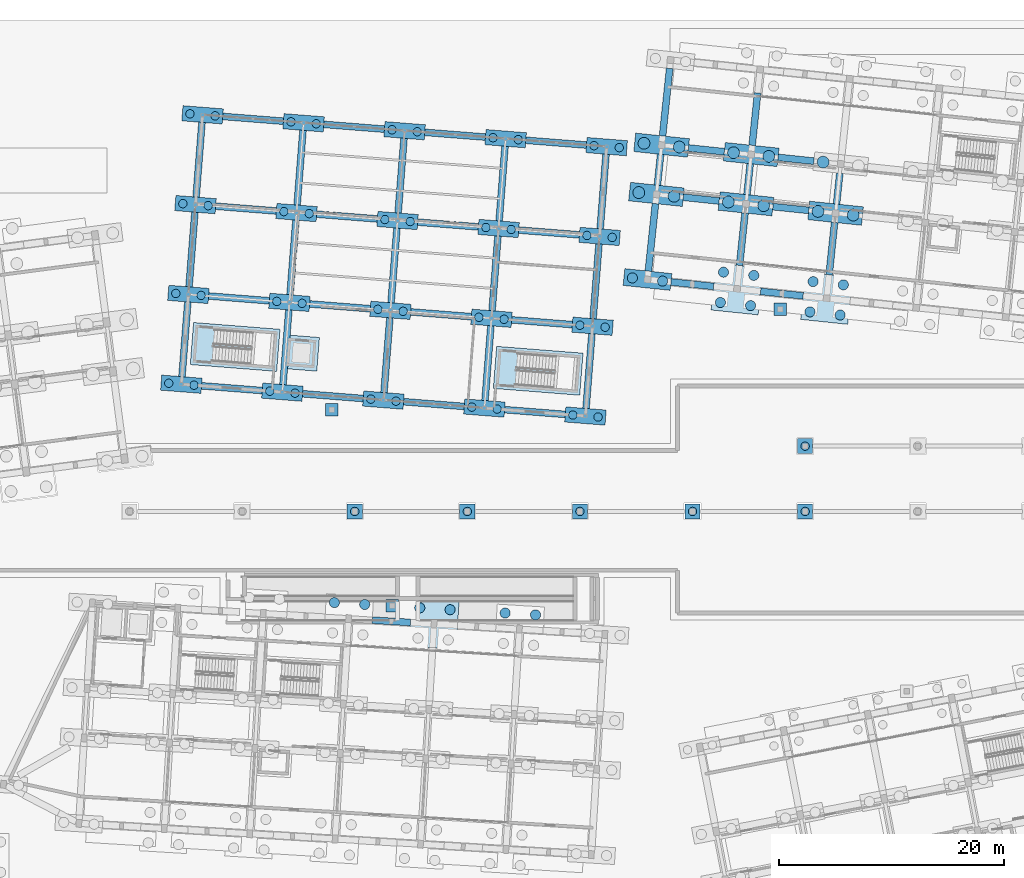
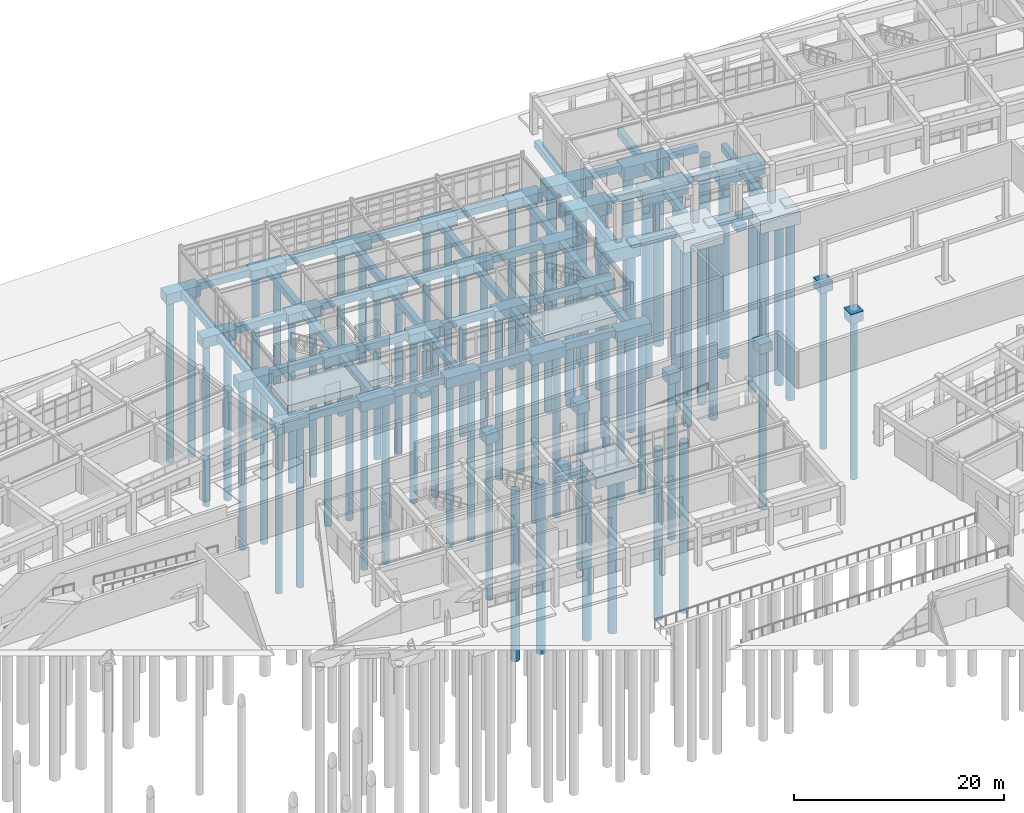
# One storey, part 4 of 154: 87 footings, 73 piles.
"""IFC4 building model written with IfcOpenShell, lengths in metres."""

from ifc_helpers import new_model, si_unit, direction, frame, origin, origin_2d, place, context, subcontext, project, spatial, rectangle, circle, extrude, material, material_profile, profile_set, type_object, element, save


model = new_model("IFC4")

# Units and contexts
model_context = context("Model", 3, precision=1e-05, world=origin(), true_north=direction((0.0, 1.0)))
body_context = subcontext(model_context, "Body", "Model", "MODEL_VIEW")
ifc_project = project(units=[si_unit("LENGTHUNIT", "METRE"), si_unit("AREAUNIT", "SQUARE_METRE"), si_unit("VOLUMEUNIT", "CUBIC_METRE"), si_unit("PLANEANGLEUNIT", "RADIAN"), si_unit("MASSUNIT", "GRAM", prefix="KILO")], contexts=[model_context])

# Site, building, storey
site_placement = place(None, origin())
site = spatial("IfcSite", under=ifc_project, at=site_placement, CompositionType="ELEMENT")
building_placement = place(site_placement, origin())
building = spatial("IfcBuilding", under=site, at=building_placement, Name="Kestramere Prow Commons", CompositionType="ELEMENT")
storey_placement = place(building_placement, origin())
storey = spatial("IfcBuildingStorey", under=building, at=storey_placement, Name="L00", CompositionType="ELEMENT", Elevation=0.0)

# Piles
ifc_material = material(Name="Concrete C35/45", Category="concrete")
ifc_material_profile_1 = material_profile(ifc_material, circle(Radius=0.52490234375, at=origin_2d()), Name="BORED PILE D1050")
ifc_profile_set_1 = profile_set([ifc_material_profile_1], Name="Concrete C35/45")
pile_type_1 = type_object("IfcPileType", Name="BP-1050 BORED PILE D1050", PredefinedType="BORED", material=ifc_profile_set_1)
for number, where, z_axis, x_axis, name in (
    (1, (109.22802734375, 102.52294921875, -1.75), (0.0, 0.0, -1.0), (1.0, 0.0, 0.0), "Bored pile FC-B-0-1-P1"),
    (2, (112.36083984375, 102.19384765625, -1.75), (0.0, 0.0, -1.0), (1.0, 0.0, 0.0), "Bored pile FC-B-0-1-P2"),
    (3, (109.68798828125, 106.89892578125, -1.75), (0.0, 0.0, -1.0), (1.0, 0.0, 0.0), "Bored pile FC-B-0-2-P1"),
    (4, (112.82080078125, 106.569580078125, -1.75), (0.0, 0.0, -1.0), (1.0, 0.0, 0.0), "Bored pile FC-B-0-2-P2"),
    (5, (117.184326171875, 101.686767578125, -1.75), (0.0, 0.0, -1.0), (1.0, 0.0, 0.0), "Bored pile FC-B-1-1-P1"),
    (6, (120.31689453125, 101.357421875, -1.75), (0.0, 0.0, -1.0), (1.0, 0.0, 0.0), "Bored pile FC-B-1-1-P2"),
    (7, (117.64404296875, 106.062744140625, -1.75), (0.0, 0.0, -1.0), (1.0, 0.0, 0.0), "Bored pile FC-B-1-2-P1"),
    (8, (120.77685546875, 105.7333984375, -1.75), (0.0, 0.0, -1.0), (1.0, 0.0, 0.0), "Bored pile FC-B-1-2-P2"),
    (9, (125.140380859375, 100.8505859375, -1.75), (0.0, 0.0, -1.0), (1.0, 0.0, 0.0), "Bored pile FC-B-2-1-P1"),
    (10, (128.273193359375, 100.521240234375, -1.75), (0.0, 0.0, -1.0), (1.0, 0.0, 0.0), "Bored pile FC-B-2-1-P2"),
    (11, (125.600341796875, 105.226318359375, -1.75), (0.0, 0.0, -1.0), (1.0, 0.0, 0.0), "Bored pile FC-B-2-2-P1"),
):
    element("IfcPile", number, at=place(storey_placement, frame(where, z_axis=z_axis, x_axis=x_axis)), inside=storey, type_object=pile_type_1, Name=name, PredefinedType="BORED", context=body_context, shape_type="SweptSolid", body=[
        extrude(circle(Radius=0.52490234375, at=origin_2d()), origin(), (0.0, 0.0, 1.0), 20.60009765625),
    ])
ifc_material_profile_2 = material_profile(ifc_material, circle(Radius=0.375, at=origin_2d()), Name="BORED PILE D750")
ifc_profile_set_2 = profile_set([ifc_material_profile_2], Name="Concrete C35/45")
pile_type_2 = type_object("IfcPileType", Name="BP-750 BORED PILE D750", PredefinedType="BORED", material=ifc_profile_set_2)
for number, where, z_axis, x_axis, name in (
    (12, (67.478515625, 85.58837890625, -1.449951171875), (0.0, 0.0, -1.0), (1.0, 0.0, 0.0), "Bored pile FC-NR-0-0-P1"),
    (13, (69.721435546875, 85.41162109375, -1.449951171875), (0.0, 0.0, -1.0), (1.0, 0.0, 0.0), "Bored pile FC-NR-0-0-P2"),
    (14, (68.106201171875, 93.563720703125, -1.449951171875), (0.0, 0.0, -1.0), (1.0, 0.0, 0.0), "Bored pile FC-NR-0-1-P1"),
    (15, (70.34912109375, 93.386962890625, -1.449951171875), (0.0, 0.0, -1.0), (1.0, 0.0, 0.0), "Bored pile FC-NR-0-1-P2"),
    (16, (68.73388671875, 101.5390625, -1.449951171875), (0.0, 0.0, -1.0), (1.0, 0.0, 0.0), "Bored pile FC-NR-0-2-P1"),
    (17, (70.976806640625, 101.3623046875, -1.449951171875), (0.0, 0.0, -1.0), (1.0, 0.0, 0.0), "Bored pile FC-NR-0-2-P2"),
    (18, (69.361572265625, 109.51416015625, -1.449951171875), (0.0, 0.0, -1.0), (1.0, 0.0, 0.0), "Bored pile FC-NR-0-3-P1"),
    (19, (71.6044921875, 109.337646484375, -1.449951171875), (0.0, 0.0, -1.0), (1.0, 0.0, 0.0), "Bored pile FC-NR-0-3-P2"),
    (20, (76.45068359375, 84.882080078125, -1.449951171875), (0.0, 0.0, -1.0), (1.0, 0.0, 0.0), "Bored pile FC-NR-1-0-P1"),
    (21, (78.69384765625, 84.70556640625, -1.449951171875), (0.0, 0.0, -1.0), (1.0, 0.0, 0.0), "Bored pile FC-NR-1-0-P2"),
    (22, (77.078369140625, 92.857421875, -1.449951171875), (0.0, 0.0, -1.0), (1.0, 0.0, 0.0), "Bored pile FC-NR-1-1-P1"),
    (23, (79.321533203125, 92.680908203125, -1.449951171875), (0.0, 0.0, -1.0), (1.0, 0.0, 0.0), "Bored pile FC-NR-1-1-P2"),
    (24, (77.7060546875, 100.832763671875, -1.449951171875), (0.0, 0.0, -1.0), (1.0, 0.0, 0.0), "Bored pile FC-NR-1-2-P1"),
    (25, (79.94921875, 100.65625, -1.449951171875), (0.0, 0.0, -1.0), (1.0, 0.0, 0.0), "Bored pile FC-NR-1-2-P2"),
    (26, (78.333740234375, 108.80810546875, -1.449951171875), (0.0, 0.0, -1.0), (1.0, 0.0, 0.0), "Bored pile FC-NR-1-3-P1"),
    (27, (80.576904296875, 108.631591796875, -1.449951171875), (0.0, 0.0, -1.0), (1.0, 0.0, 0.0), "Bored pile FC-NR-1-3-P2"),
    (28, (85.423095703125, 84.176025390625, -1.449951171875), (0.0, 0.0, -1.0), (1.0, 0.0, 0.0), "Bored pile FC-NR-2-0-P1"),
    (29, (87.666015625, 83.99951171875, -1.449951171875), (0.0, 0.0, -1.0), (1.0, 0.0, 0.0), "Bored pile FC-NR-2-0-P2"),
    (30, (86.050537109375, 92.1513671875, -1.449951171875), (0.0, 0.0, -1.0), (1.0, 0.0, 0.0), "Bored pile FC-NR-2-1-P1"),
    (31, (88.293701171875, 91.974853515625, -1.449951171875), (0.0, 0.0, -1.0), (1.0, 0.0, 0.0), "Bored pile FC-NR-2-1-P2"),
    (32, (86.67822265625, 100.126708984375, -1.449951171875), (0.0, 0.0, -1.0), (1.0, 0.0, 0.0), "Bored pile FC-NR-2-2-P1"),
    (33, (88.92138671875, 99.9501953125, -1.449951171875), (0.0, 0.0, -1.0), (1.0, 0.0, 0.0), "Bored pile FC-NR-2-2-P2"),
    (34, (87.305908203125, 108.10205078125, -1.449951171875), (0.0, 0.0, -1.0), (1.0, 0.0, 0.0), "Bored pile FC-NR-2-3-P1"),
    (35, (89.549072265625, 107.925537109375, -1.449951171875), (0.0, 0.0, -1.0), (1.0, 0.0, 0.0), "Bored pile FC-NR-2-3-P2"),
    (36, (94.395263671875, 83.469970703125, -1.449951171875), (0.0, 0.0, -1.0), (1.0, 0.0, 0.0), "Bored pile FC-NR-3-0-P1"),
    (37, (96.63818359375, 83.29345703125, -1.449951171875), (0.0, 0.0, -1.0), (1.0, 0.0, 0.0), "Bored pile FC-NR-3-0-P2"),
    (38, (95.02294921875, 91.4453125, -1.449951171875), (0.0, 0.0, -1.0), (1.0, 0.0, 0.0), "Bored pile FC-NR-3-1-P1"),
    (39, (97.265869140625, 91.268798828125, -1.449951171875), (0.0, 0.0, -1.0), (1.0, 0.0, 0.0), "Bored pile FC-NR-3-1-P2"),
    (40, (95.650634765625, 99.420654296875, -1.449951171875), (0.0, 0.0, -1.0), (1.0, 0.0, 0.0), "Bored pile FC-NR-3-2-P1"),
    (41, (97.8935546875, 99.243896484375, -1.449951171875), (0.0, 0.0, -1.0), (1.0, 0.0, 0.0), "Bored pile FC-NR-3-2-P2"),
    (42, (96.2783203125, 107.39599609375, -1.449951171875), (0.0, 0.0, -1.0), (1.0, 0.0, 0.0), "Bored pile FC-NR-3-3-P1"),
    (43, (98.521240234375, 107.21923828125, -1.449951171875), (0.0, 0.0, -1.0), (1.0, 0.0, 0.0), "Bored pile FC-NR-3-3-P2"),
    (44, (103.367431640625, 82.763671875, -1.449951171875), (0.0, 0.0, -1.0), (1.0, 0.0, 0.0), "Bored pile FC-NR-4-0-P1"),
    (45, (105.610595703125, 82.587158203125, -1.449951171875), (0.0, 0.0, -1.0), (1.0, 0.0, 0.0), "Bored pile FC-NR-4-0-P2"),
    (46, (103.9951171875, 90.739013671875, -1.449951171875), (0.0, 0.0, -1.0), (1.0, 0.0, 0.0), "Bored pile FC-NR-4-1-P1"),
    (47, (106.23828125, 90.5625, -1.449951171875), (0.0, 0.0, -1.0), (1.0, 0.0, 0.0), "Bored pile FC-NR-4-1-P2"),
    (48, (104.622802734375, 98.71435546875, -1.449951171875), (0.0, 0.0, -1.0), (1.0, 0.0, 0.0), "Bored pile FC-NR-4-2-P1"),
    (49, (106.865966796875, 98.537841796875, -1.449951171875), (0.0, 0.0, -1.0), (1.0, 0.0, 0.0), "Bored pile FC-NR-4-2-P2"),
    (50, (105.25048828125, 106.689697265625, -1.449951171875), (0.0, 0.0, -1.0), (1.0, 0.0, 0.0), "Bored pile FC-NR-4-3-P1"),
    (51, (107.49365234375, 106.51318359375, -1.449951171875), (0.0, 0.0, -1.0), (1.0, 0.0, 0.0), "Bored pile FC-NR-4-3-P2"),
):
    element("IfcPile", number, at=place(storey_placement, frame(where, z_axis=z_axis, x_axis=x_axis)), inside=storey, type_object=pile_type_2, Name=name, PredefinedType="BORED", context=body_context, shape_type="SweptSolid", body=[
        extrude(circle(Radius=0.375, at=origin_2d()), origin(), (0.0, 0.0, 1.0), 18.800048828125),
    ])
for number, where, z_axis, x_axis, name in (
    (52, (84.0, 74.199951171875, -1.39990234375), (0.0, 0.0, -1.0), (1.0, 0.0, 0.0), "Bored pile FC-CRT-84-74-P1"),
    (53, (94.0, 74.199951171875, -1.39990234375), (0.0, 0.0, -1.0), (1.0, 0.0, 0.0), "Bored pile FC-CRT-94-74-P1"),
    (54, (104.0, 74.199951171875, -1.39990234375), (0.0, 0.0, -1.0), (1.0, 0.0, 0.0), "Bored pile FC-CRT-104-74-P1"),
    (55, (114.0, 74.199951171875, -1.39990234375), (0.0, 0.0, -1.0), (1.0, 0.0, 0.0), "Bored pile FC-CRT-114-74-P1"),
    (56, (124.0, 74.199951171875, -1.39990234375), (0.0, 0.0, -1.0), (1.0, 0.0, 0.0), "Bored pile FC-CRT-124-74-P1"),
    (57, (124.0, 80.0, -1.39990234375), (0.0, 0.0, -1.0), (1.0, 0.0, 0.0), "Bored pile FC-CRT-124-80-P1"),
):
    element("IfcPile", number, at=place(storey_placement, frame(where, z_axis=z_axis, x_axis=x_axis)), inside=storey, type_object=pile_type_2, Name=name, PredefinedType="BORED", context=body_context, shape_type="SweptSolid", body=[
        extrude(circle(Radius=0.375, at=origin_2d()), origin(), (0.0, 0.0, 1.0), 18.5),
    ])
ifc_material_profile_3 = material_profile(ifc_material, circle(Radius=0.449951171875, at=origin_2d()), Name="BORED PILE D900")
ifc_profile_set_3 = profile_set([ifc_material_profile_3], Name="Concrete C35/45")
pile_type_3 = type_object("IfcPileType", Name="BP-900 BORED PILE D900", PredefinedType="BORED", material=ifc_profile_set_3)
for number, where, z_axis, x_axis, name in (
    (58, (108.657470703125, 94.941162109375, -1.75), (0.0, 0.0, -1.0), (1.0, 0.0, 0.0), "Bored pile FC-B-0-0-P1"),
    (59, (111.342529296875, 94.658935546875, -1.75), (0.0, 0.0, -1.0), (1.0, 0.0, 0.0), "Bored pile FC-B-0-0-P2"),
    (60, (116.472412109375, 92.76220703125, -1.75), (0.0, 0.0, -1.0), (1.0, 0.0, 0.0), "Bored pile FC-B-1-0-P1"),
    (61, (119.15771484375, 92.47998046875, -1.75), (0.0, 0.0, -1.0), (1.0, 0.0, 0.0), "Bored pile FC-B-1-0-P2"),
    (62, (116.754638671875, 95.447509765625, -1.75), (0.0, 0.0, -1.0), (1.0, 0.0, 0.0), "Bored pile FC-B-1-0-P3"),
    (63, (119.43994140625, 95.165283203125, -1.75), (0.0, 0.0, -1.0), (1.0, 0.0, 0.0), "Bored pile FC-B-1-0-P4"),
    (64, (124.4287109375, 91.926025390625, -1.75), (0.0, 0.0, -1.0), (1.0, 0.0, 0.0), "Bored pile FC-B-2-0-P1"),
    (65, (127.11376953125, 91.643798828125, -1.75), (0.0, 0.0, -1.0), (1.0, 0.0, 0.0), "Bored pile FC-B-2-0-P2"),
    (66, (124.7109375, 94.611328125, -1.75), (0.0, 0.0, -1.0), (1.0, 0.0, 0.0), "Bored pile FC-B-2-0-P3"),
    (67, (127.39599609375, 94.3291015625, -1.75), (0.0, 0.0, -1.0), (1.0, 0.0, 0.0), "Bored pile FC-B-2-0-P4"),
):
    element("IfcPile", number, at=place(storey_placement, frame(where, z_axis=z_axis, x_axis=x_axis)), inside=storey, type_object=pile_type_3, Name=name, PredefinedType="BORED", context=body_context, shape_type="SweptSolid", body=[
        extrude(circle(Radius=0.449951171875, at=origin_2d()), origin(), (0.0, 0.0, 1.0), 20.60009765625),
    ])
for number, where, z_axis, x_axis, name in (
    (68, (82.18896484375, 66.101318359375, -1.60009765625), (0.0, 0.0, -1.0), (1.0, 0.0, 0.0), "Bored pile FC-C-3-3-P3"),
    (69, (84.884033203125, 65.9365234375, -1.60009765625), (0.0, 0.0, -1.0), (1.0, 0.0, 0.0), "Bored pile FC-C-3-3-P4"),
    (70, (89.77490234375, 65.637451171875, -1.60009765625), (0.0, 0.0, -1.0), (1.0, 0.0, 0.0), "Bored pile FC-C-4-3-P3"),
    (71, (92.4697265625, 65.47265625, -1.60009765625), (0.0, 0.0, -1.0), (1.0, 0.0, 0.0), "Bored pile FC-C-4-3-P4"),
    (72, (97.360595703125, 65.173583984375, -1.60009765625), (0.0, 0.0, -1.0), (1.0, 0.0, 0.0), "Bored pile FC-C-5-3-P3"),
    (73, (100.0556640625, 65.008544921875, -1.60009765625), (0.0, 0.0, -1.0), (1.0, 0.0, 0.0), "Bored pile FC-C-5-3-P4"),
):
    element("IfcPile", number, at=place(storey_placement, frame(where, z_axis=z_axis, x_axis=x_axis)), inside=storey, type_object=pile_type_3, Name=name, PredefinedType="BORED", context=body_context, shape_type="SweptSolid", body=[
        extrude(circle(Radius=0.449951171875, at=origin_2d()), origin(), (0.0, 0.0, 1.0), 19.800048828125),
    ])

# Footings
footing_type_1 = type_object("IfcFootingType", Name="FT-BRIDGE-PAD", PredefinedType="PAD_FOOTING", material=ifc_material)
for number, where, z_axis, x_axis, name in (
    (74, (121.787841796875, 92.1533203125, -1.0), (0.0, 0.0, 1.0), (1.0, 0.0, 0.0), "Courtyard Bridge Pad Footing B"),
    (75, (87.33251953125, 65.8369140625, -1.0), (0.0, 0.0, 1.0), (1.0, 0.0, 0.0), "Courtyard Bridge Pad Footing C"),
    (76, (81.964111328125, 83.244384765625, -1.0), (0.0, 0.0, 1.0), (1.0, 0.0, 0.0), "Courtyard Bridge Pad Footing NR"),
):
    element("IfcFooting", number, at=place(storey_placement, frame(where, z_axis=z_axis, x_axis=x_axis)), inside=storey, type_object=footing_type_1, Name=name, PredefinedType="PAD_FOOTING", context=body_context, shape_type="SweptSolid", body=[
        extrude(rectangle(XDim=1.10009765625, YDim=1.10009765625, at=origin_2d()), origin(), (0.0, 0.0, 1.0), 0.64990234375),
    ])
footing_type_2 = type_object("IfcFootingType", Name="FT-CORE-STRIP", PredefinedType="STRIP_FOOTING", material=ifc_material)
for number, where, z_axis, x_axis, name in (
    (77, (73.37451171875, 88.810546875, -1.14990234375), (0.0, 0.0, 1.0), (0.996917333733, -0.078459095728, 0.0), "ST-N1 Footing"),
    (78, (100.291259765625, 86.692138671875, -1.14990234375), (0.0, 0.0, 1.0), (0.996917333733, -0.078459095728, 0.0), "ST-N2 Footing"),
):
    element("IfcFooting", number, at=place(storey_placement, frame(where, z_axis=z_axis, x_axis=x_axis)), inside=storey, type_object=footing_type_2, Name=name, PredefinedType="STRIP_FOOTING", context=body_context, shape_type="SweptSolid", body=[
        extrude(rectangle(XDim=7.699951171875, YDim=3.75, at=origin_2d()), origin(), (0.0, 0.0, 1.0), 0.800048828125),
    ])
footing_1_placement = place(storey_placement, frame((79.25048828125, 88.27294921875, -1.14990234375), z_axis=(0.0, 0.0, 1.0), x_axis=(0.996917333733, -0.078459095728, 0.0)))
element("IfcFooting", 79, at=footing_1_placement, inside=storey, type_object=footing_type_2, Name="PL-N1 Lift Footing", PredefinedType="STRIP_FOOTING", context=body_context, shape_type="SweptSolid", body=[
    extrude(rectangle(XDim=3.0, YDim=3.0, at=origin_2d()), origin(), (0.0, 0.0, 1.0), 0.800048828125),
])
footing_type_3 = type_object("IfcFootingType", Name="GB-04 600x800 L3400", PredefinedType="FOOTING_BEAM", material=ifc_material)
footing_2_placement = place(storey_placement, frame((87.246826171875, 64.439453125, -1.14990234375), z_axis=(0.0, 0.0, 1.0), x_axis=(0.998134798422, -0.061048539535, 0.0)))
element("IfcFooting", 80, at=footing_2_placement, inside=storey, type_object=footing_type_3, Name="Foundation ground beam GBU-C-3-3", PredefinedType="FOOTING_BEAM", context=body_context, shape_type="SweptSolid", body=[
    extrude(rectangle(XDim=3.39990234375, YDim=0.60009765625, at=origin_2d()), origin(), (0.0, 0.0, 1.0), 0.800048828125),
])
footing_type_4 = type_object("IfcFootingType", Name="GB-10 600x800 L3800", PredefinedType="FOOTING_BEAM", material=ifc_material)
for number, where, z_axis, x_axis, name in (
    (81, (113.97802734375, 94.3818359375, -1.14990234375), (0.0, 0.0, 1.0), (0.994521895368, -0.104528463268, 0.0), "Foundation ground beam GBU-B-0-0"),
    (82, (121.934326171875, 93.545654296875, -1.14990234375), (0.0, 0.0, 1.0), (0.994521895368, -0.104528463268, 0.0), "Foundation ground beam GBU-B-1-0"),
):
    element("IfcFooting", number, at=place(storey_placement, frame(where, z_axis=z_axis, x_axis=x_axis)), inside=storey, type_object=footing_type_4, Name=name, PredefinedType="FOOTING_BEAM", context=body_context, shape_type="SweptSolid", body=[
        extrude(rectangle(XDim=3.800048828125, YDim=0.60009765625, at=origin_2d()), origin(), (0.0, 0.0, 1.0), 0.800048828125),
    ])
footing_type_5 = type_object("IfcFootingType", Name="GB-11 600x800 L3200", PredefinedType="FOOTING_BEAM", material=ifc_material)
for number, where, z_axis, x_axis, name in (
    (83, (114.7724609375, 101.940185546875, -1.14990234375), (0.0, 0.0, 1.0), (0.994521895368, -0.104528463268, 0.0), "Foundation ground beam GBU-B-0-1"),
    (84, (115.232421875, 106.316162109375, -1.14990234375), (0.0, 0.0, 1.0), (0.994521895368, -0.104528463268, 0.0), "Foundation ground beam GBU-B-0-2"),
    (85, (122.728759765625, 101.10400390625, -1.14990234375), (0.0, 0.0, 1.0), (0.994521895368, -0.104528463268, 0.0), "Foundation ground beam GBU-B-1-1"),
    (86, (123.188720703125, 105.47998046875, -1.14990234375), (0.0, 0.0, 1.0), (0.994521895368, -0.104528463268, 0.0), "Foundation ground beam GBU-B-1-2"),
):
    element("IfcFooting", number, at=place(storey_placement, frame(where, z_axis=z_axis, x_axis=x_axis)), inside=storey, type_object=footing_type_5, Name=name, PredefinedType="FOOTING_BEAM", context=body_context, shape_type="SweptSolid", body=[
        extrude(rectangle(XDim=3.199951171875, YDim=0.60009765625, at=origin_2d()), origin(), (0.0, 0.0, 1.0), 0.800048828125),
    ])
footing_type_6 = type_object("IfcFootingType", Name="GB-12 600x800 L6030", PredefinedType="FOOTING_BEAM", material=ifc_material)
for number, where, z_axis, x_axis, name in (
    (87, (110.393310546875, 98.5419921875, -1.14990234375), (0.0, 0.0, 1.0), (0.104528463268, 0.994521895368, 0.0), "Foundation ground beam GBV-B-0-0"),
    (88, (111.655517578125, 110.55078125, -1.14990234375), (0.0, 0.0, 1.0), (0.104528463268, 0.994521895368, 0.0), "Foundation ground beam GBV-B-0-2"),
):
    element("IfcFooting", number, at=place(storey_placement, frame(where, z_axis=z_axis, x_axis=x_axis)), inside=storey, type_object=footing_type_6, Name=name, PredefinedType="FOOTING_BEAM", context=body_context, shape_type="SweptSolid", body=[
        extrude(rectangle(XDim=6.02490234375, YDim=0.60009765625, at=origin_2d()), origin(), (0.0, 0.0, 1.0), 0.800048828125),
    ])
footing_type_7 = type_object("IfcFootingType", Name="GB-13 600x800 L2750", PredefinedType="FOOTING_BEAM", material=ifc_material)
for number, where, z_axis, x_axis, name in (
    (89, (111.0244140625, 104.54638671875, -1.14990234375), (0.0, 0.0, 1.0), (0.104528463268, 0.994521895368, 0.0), "Foundation ground beam GBV-B-0-1"),
    (90, (118.98046875, 103.710205078125, -1.14990234375), (0.0, 0.0, 1.0), (0.104528463268, 0.994521895368, 0.0), "Foundation ground beam GBV-B-1-1"),
    (91, (126.936767578125, 102.873779296875, -1.14990234375), (0.0, 0.0, 1.0), (0.104528463268, 0.994521895368, 0.0), "Foundation ground beam GBV-B-2-1"),
):
    element("IfcFooting", number, at=place(storey_placement, frame(where, z_axis=z_axis, x_axis=x_axis)), inside=storey, type_object=footing_type_7, Name=name, PredefinedType="FOOTING_BEAM", context=body_context, shape_type="SweptSolid", body=[
        extrude(rectangle(XDim=2.75, YDim=0.60009765625, at=origin_2d()), origin(), (0.0, 0.0, 1.0), 0.800048828125),
    ])
footing_type_8 = type_object("IfcFootingType", Name="GB-14 600x800 L4670", PredefinedType="FOOTING_BEAM", material=ifc_material)
for number, where, z_axis, x_axis, name in (
    (92, (118.419921875, 98.376953125, -1.14990234375), (0.0, 0.0, 1.0), (0.104528463268, 0.994521895368, 0.0), "Foundation ground beam GBV-B-1-0"),
    (93, (119.541015625, 109.043212890625, -1.14990234375), (0.0, 0.0, 1.0), (0.104528463268, 0.994521895368, 0.0), "Foundation ground beam GBV-B-1-2"),
    (94, (126.376220703125, 97.540771484375, -1.14990234375), (0.0, 0.0, 1.0), (0.104528463268, 0.994521895368, 0.0), "Foundation ground beam GBV-B-2-0"),
):
    element("IfcFooting", number, at=place(storey_placement, frame(where, z_axis=z_axis, x_axis=x_axis)), inside=storey, type_object=footing_type_8, Name=name, PredefinedType="FOOTING_BEAM", context=body_context, shape_type="SweptSolid", body=[
        extrude(rectangle(XDim=4.675048828125, YDim=0.60009765625, at=origin_2d()), origin(), (0.0, 0.0, 1.0), 0.800048828125),
    ])
footing_type_9 = type_object("IfcFootingType", Name="GB-26 600x800 L5400", PredefinedType="FOOTING_BEAM", material=ifc_material)
for number, where, z_axis, x_axis, name in (
    (95, (73.086181640625, 85.14697265625, -1.14990234375), (0.0, 0.0, 1.0), (0.996917333733, -0.078459095728, 0.0), "Foundation ground beam GBU-NR-0-0"),
    (96, (73.7138671875, 93.122314453125, -1.14990234375), (0.0, 0.0, 1.0), (0.996917333733, -0.078459095728, 0.0), "Foundation ground beam GBU-NR-0-1"),
    (97, (74.341552734375, 101.09765625, -1.14990234375), (0.0, 0.0, 1.0), (0.996917333733, -0.078459095728, 0.0), "Foundation ground beam GBU-NR-0-2"),
    (98, (74.96923828125, 109.072998046875, -1.14990234375), (0.0, 0.0, 1.0), (0.996917333733, -0.078459095728, 0.0), "Foundation ground beam GBU-NR-0-3"),
    (99, (82.058349609375, 84.44091796875, -1.14990234375), (0.0, 0.0, 1.0), (0.996917333733, -0.078459095728, 0.0), "Foundation ground beam GBU-NR-1-0"),
    (100, (82.68603515625, 92.416259765625, -1.14990234375), (0.0, 0.0, 1.0), (0.996917333733, -0.078459095728, 0.0), "Foundation ground beam GBU-NR-1-1"),
    (101, (83.313720703125, 100.3916015625, -1.14990234375), (0.0, 0.0, 1.0), (0.996917333733, -0.078459095728, 0.0), "Foundation ground beam GBU-NR-1-2"),
    (102, (83.94140625, 108.36669921875, -1.14990234375), (0.0, 0.0, 1.0), (0.996917333733, -0.078459095728, 0.0), "Foundation ground beam GBU-NR-1-3"),
    (103, (91.03076171875, 83.734619140625, -1.14990234375), (0.0, 0.0, 1.0), (0.996917333733, -0.078459095728, 0.0), "Foundation ground beam GBU-NR-2-0"),
    (104, (91.658203125, 91.7099609375, -1.14990234375), (0.0, 0.0, 1.0), (0.996917333733, -0.078459095728, 0.0), "Foundation ground beam GBU-NR-2-1"),
    (105, (92.285888671875, 99.685302734375, -1.14990234375), (0.0, 0.0, 1.0), (0.996917333733, -0.078459095728, 0.0), "Foundation ground beam GBU-NR-2-2"),
    (106, (92.91357421875, 107.66064453125, -1.14990234375), (0.0, 0.0, 1.0), (0.996917333733, -0.078459095728, 0.0), "Foundation ground beam GBU-NR-2-3"),
    (107, (100.0029296875, 83.028564453125, -1.14990234375), (0.0, 0.0, 1.0), (0.996917333733, -0.078459095728, 0.0), "Foundation ground beam GBU-NR-3-0"),
    (108, (100.630615234375, 91.00390625, -1.14990234375), (0.0, 0.0, 1.0), (0.996917333733, -0.078459095728, 0.0), "Foundation ground beam GBU-NR-3-1"),
    (109, (101.25830078125, 98.979248046875, -1.14990234375), (0.0, 0.0, 1.0), (0.996917333733, -0.078459095728, 0.0), "Foundation ground beam GBU-NR-3-2"),
    (110, (101.885986328125, 106.95458984375, -1.14990234375), (0.0, 0.0, 1.0), (0.996917333733, -0.078459095728, 0.0), "Foundation ground beam GBU-NR-3-3"),
):
    element("IfcFooting", number, at=place(storey_placement, frame(where, z_axis=z_axis, x_axis=x_axis)), inside=storey, type_object=footing_type_9, Name=name, PredefinedType="FOOTING_BEAM", context=body_context, shape_type="SweptSolid", body=[
        extrude(rectangle(XDim=5.39990234375, YDim=0.60009765625, at=origin_2d()), origin(), (0.0, 0.0, 1.0), 0.800048828125),
    ])
footing_type_10 = type_object("IfcFootingType", Name="GB-27 600x800 L6650", PredefinedType="FOOTING_BEAM", material=ifc_material)
for number, where, z_axis, x_axis, name in (
    (111, (68.913818359375, 89.487548828125, -1.14990234375), (0.0, 0.0, 1.0), (0.078459095728, 0.996917333733, 0.0), "Foundation ground beam GBV-NR-0-0"),
    (112, (69.54150390625, 97.462890625, -1.14990234375), (0.0, 0.0, 1.0), (0.078459095728, 0.996917333733, 0.0), "Foundation ground beam GBV-NR-0-1"),
    (113, (70.169189453125, 105.438232421875, -1.14990234375), (0.0, 0.0, 1.0), (0.078459095728, 0.996917333733, 0.0), "Foundation ground beam GBV-NR-0-2"),
    (114, (77.885986328125, 88.781494140625, -1.14990234375), (0.0, 0.0, 1.0), (0.078459095728, 0.996917333733, 0.0), "Foundation ground beam GBV-NR-1-0"),
    (115, (78.513671875, 96.7568359375, -1.14990234375), (0.0, 0.0, 1.0), (0.078459095728, 0.996917333733, 0.0), "Foundation ground beam GBV-NR-1-1"),
    (116, (79.141357421875, 104.732177734375, -1.14990234375), (0.0, 0.0, 1.0), (0.078459095728, 0.996917333733, 0.0), "Foundation ground beam GBV-NR-1-2"),
    (117, (86.8583984375, 88.075439453125, -1.14990234375), (0.0, 0.0, 1.0), (0.078459095728, 0.996917333733, 0.0), "Foundation ground beam GBV-NR-2-0"),
    (118, (87.486083984375, 96.05078125, -1.14990234375), (0.0, 0.0, 1.0), (0.078459095728, 0.996917333733, 0.0), "Foundation ground beam GBV-NR-2-1"),
    (119, (88.11376953125, 104.026123046875, -1.14990234375), (0.0, 0.0, 1.0), (0.078459095728, 0.996917333733, 0.0), "Foundation ground beam GBV-NR-2-2"),
    (120, (95.83056640625, 87.369384765625, -1.14990234375), (0.0, 0.0, 1.0), (0.078459095728, 0.996917333733, 0.0), "Foundation ground beam GBV-NR-3-0"),
    (121, (96.458251953125, 95.3447265625, -1.14990234375), (0.0, 0.0, 1.0), (0.078459095728, 0.996917333733, 0.0), "Foundation ground beam GBV-NR-3-1"),
    (122, (97.0859375, 103.320068359375, -1.14990234375), (0.0, 0.0, 1.0), (0.078459095728, 0.996917333733, 0.0), "Foundation ground beam GBV-NR-3-2"),
    (123, (104.802978515625, 86.6630859375, -1.14990234375), (0.0, 0.0, 1.0), (0.078459095728, 0.996917333733, 0.0), "Foundation ground beam GBV-NR-4-0"),
    (124, (105.430419921875, 94.638427734375, -1.14990234375), (0.0, 0.0, 1.0), (0.078459095728, 0.996917333733, 0.0), "Foundation ground beam GBV-NR-4-1"),
    (125, (106.05810546875, 102.61376953125, -1.14990234375), (0.0, 0.0, 1.0), (0.078459095728, 0.996917333733, 0.0), "Foundation ground beam GBV-NR-4-2"),
):
    element("IfcFooting", number, at=place(storey_placement, frame(where, z_axis=z_axis, x_axis=x_axis)), inside=storey, type_object=footing_type_10, Name=name, PredefinedType="FOOTING_BEAM", context=body_context, shape_type="SweptSolid", body=[
        extrude(rectangle(XDim=6.64990234375, YDim=0.60009765625, at=origin_2d()), origin(), (0.0, 0.0, 1.0), 0.800048828125),
    ])
footing_type_11 = type_object("IfcFootingType", Name="PC-04 4200x1500x1500", PredefinedType="PILE_CAP", material=ifc_material)
footing_3_placement = place(storey_placement, frame((110.0, 94.800048828125, -1.85009765625), z_axis=(0.0, 0.0, 1.0), x_axis=(0.994521895368, -0.104528463268, 0.0)))
element("IfcFooting", 126, at=footing_3_placement, inside=storey, type_object=footing_type_11, Name="Pile cap FC-B-0-0", PredefinedType="PILE_CAP", context=body_context, shape_type="SweptSolid", body=[
    extrude(rectangle(XDim=4.199951171875, YDim=1.5, at=origin_2d()), origin(), (0.0, 0.0, 1.0), 1.5),
])
footing_type_12 = type_object("IfcFootingType", Name="PC-05 4800x1650x1500", PredefinedType="PILE_CAP", material=ifc_material)
for number, where, z_axis, x_axis, name in (
    (127, (110.79443359375, 102.3583984375, -1.85009765625), (0.0, 0.0, 1.0), (0.994521895368, -0.104528463268, 0.0), "Pile cap FC-B-0-1"),
    (128, (111.25439453125, 106.734375, -1.85009765625), (0.0, 0.0, 1.0), (0.994521895368, -0.104528463268, 0.0), "Pile cap FC-B-0-2"),
    (129, (118.75048828125, 101.522216796875, -1.85009765625), (0.0, 0.0, 1.0), (0.994521895368, -0.104528463268, 0.0), "Pile cap FC-B-1-1"),
    (130, (119.21044921875, 105.89794921875, -1.85009765625), (0.0, 0.0, 1.0), (0.994521895368, -0.104528463268, 0.0), "Pile cap FC-B-1-2"),
    (131, (126.706787109375, 100.685791015625, -1.85009765625), (0.0, 0.0, 1.0), (0.994521895368, -0.104528463268, 0.0), "Pile cap FC-B-2-1"),
):
    element("IfcFooting", number, at=place(storey_placement, frame(where, z_axis=z_axis, x_axis=x_axis)), inside=storey, type_object=footing_type_12, Name=name, PredefinedType="PILE_CAP", context=body_context, shape_type="SweptSolid", body=[
        extrude(rectangle(XDim=4.800048828125, YDim=1.64990234375, at=origin_2d()), origin(), (0.0, 0.0, 1.0), 1.5),
    ])
footing_type_13 = type_object("IfcFootingType", Name="PC-06 4200x4200x1500", PredefinedType="PILE_CAP", material=ifc_material)
for number, where, z_axis, x_axis, name in (
    (132, (117.9560546875, 93.9638671875, -1.85009765625), (0.0, 0.0, 1.0), (0.994521895368, -0.104528463268, 0.0), "Pile cap FC-B-1-0"),
    (133, (125.912353515625, 93.12744140625, -1.85009765625), (0.0, 0.0, 1.0), (0.994521895368, -0.104528463268, 0.0), "Pile cap FC-B-2-0"),
):
    element("IfcFooting", number, at=place(storey_placement, frame(where, z_axis=z_axis, x_axis=x_axis)), inside=storey, type_object=footing_type_13, Name=name, PredefinedType="PILE_CAP", context=body_context, shape_type="SweptSolid", body=[
        extrude(rectangle(XDim=4.199951171875, YDim=4.199951171875, at=origin_2d()), origin(), (0.0, 0.0, 1.0), 1.5),
    ])
footing_type_14 = type_object("IfcFootingType", Name="PC-08 4200x4200x1350", PredefinedType="PILE_CAP", material=ifc_material)
footing_4_placement = place(storey_placement, frame((91.039794921875, 64.20751953125, -1.699951171875), z_axis=(0.0, 0.0, 1.0), x_axis=(0.998134798422, -0.061048539535, 0.0)))
element("IfcFooting", 134, at=footing_4_placement, inside=storey, type_object=footing_type_14, Name="Pile cap FC-C-4-3", PredefinedType="PILE_CAP", context=body_context, shape_type="SweptSolid", body=[
    extrude(rectangle(XDim=4.199951171875, YDim=4.199951171875, at=origin_2d()), origin(), (0.0, 0.0, 1.0), 1.35009765625),
])
footing_type_15 = type_object("IfcFootingType", Name="PC-14 3600x1350x1200", PredefinedType="PILE_CAP", material=ifc_material)
for number, where, z_axis, x_axis, name in (
    (135, (68.60009765625, 85.5, -1.5498046875), (0.0, 0.0, 1.0), (0.996917333733, -0.078459095728, 0.0), "Pile cap FC-NR-0-0"),
    (136, (69.227783203125, 93.475341796875, -1.5498046875), (0.0, 0.0, 1.0), (0.996917333733, -0.078459095728, 0.0), "Pile cap FC-NR-0-1"),
    (137, (69.855224609375, 101.45068359375, -1.5498046875), (0.0, 0.0, 1.0), (0.996917333733, -0.078459095728, 0.0), "Pile cap FC-NR-0-2"),
    (138, (70.48291015625, 109.426025390625, -1.5498046875), (0.0, 0.0, 1.0), (0.996917333733, -0.078459095728, 0.0), "Pile cap FC-NR-0-3"),
    (139, (77.572265625, 84.7939453125, -1.5498046875), (0.0, 0.0, 1.0), (0.996917333733, -0.078459095728, 0.0), "Pile cap FC-NR-1-0"),
    (140, (78.199951171875, 92.769287109375, -1.5498046875), (0.0, 0.0, 1.0), (0.996917333733, -0.078459095728, 0.0), "Pile cap FC-NR-1-1"),
    (141, (78.82763671875, 100.74462890625, -1.5498046875), (0.0, 0.0, 1.0), (0.996917333733, -0.078459095728, 0.0), "Pile cap FC-NR-1-2"),
    (142, (79.455322265625, 108.719970703125, -1.5498046875), (0.0, 0.0, 1.0), (0.996917333733, -0.078459095728, 0.0), "Pile cap FC-NR-1-3"),
    (143, (86.54443359375, 84.087646484375, -1.5498046875), (0.0, 0.0, 1.0), (0.996917333733, -0.078459095728, 0.0), "Pile cap FC-NR-2-0"),
    (144, (87.172119140625, 92.06298828125, -1.5498046875), (0.0, 0.0, 1.0), (0.996917333733, -0.078459095728, 0.0), "Pile cap FC-NR-2-1"),
    (145, (87.7998046875, 100.038330078125, -1.5498046875), (0.0, 0.0, 1.0), (0.996917333733, -0.078459095728, 0.0), "Pile cap FC-NR-2-2"),
    (146, (88.427490234375, 108.013671875, -1.5498046875), (0.0, 0.0, 1.0), (0.996917333733, -0.078459095728, 0.0), "Pile cap FC-NR-2-3"),
    (147, (95.516845703125, 83.381591796875, -1.5498046875), (0.0, 0.0, 1.0), (0.996917333733, -0.078459095728, 0.0), "Pile cap FC-NR-3-0"),
    (148, (96.14453125, 91.35693359375, -1.5498046875), (0.0, 0.0, 1.0), (0.996917333733, -0.078459095728, 0.0), "Pile cap FC-NR-3-1"),
    (149, (96.772216796875, 99.332275390625, -1.5498046875), (0.0, 0.0, 1.0), (0.996917333733, -0.078459095728, 0.0), "Pile cap FC-NR-3-2"),
    (150, (97.39990234375, 107.3076171875, -1.5498046875), (0.0, 0.0, 1.0), (0.996917333733, -0.078459095728, 0.0), "Pile cap FC-NR-3-3"),
    (151, (104.489013671875, 82.675537109375, -1.5498046875), (0.0, 0.0, 1.0), (0.996917333733, -0.078459095728, 0.0), "Pile cap FC-NR-4-0"),
    (152, (105.11669921875, 90.65087890625, -1.5498046875), (0.0, 0.0, 1.0), (0.996917333733, -0.078459095728, 0.0), "Pile cap FC-NR-4-1"),
    (153, (105.744384765625, 98.626220703125, -1.5498046875), (0.0, 0.0, 1.0), (0.996917333733, -0.078459095728, 0.0), "Pile cap FC-NR-4-2"),
    (154, (106.3720703125, 106.6015625, -1.5498046875), (0.0, 0.0, 1.0), (0.996917333733, -0.078459095728, 0.0), "Pile cap FC-NR-4-3"),
):
    element("IfcFooting", number, at=place(storey_placement, frame(where, z_axis=z_axis, x_axis=x_axis)), inside=storey, type_object=footing_type_15, Name=name, PredefinedType="PILE_CAP", context=body_context, shape_type="SweptSolid", body=[
        extrude(rectangle(XDim=3.60009765625, YDim=1.35009765625, at=origin_2d()), origin(), (0.0, 0.0, 1.0), 1.199951171875),
    ])
footing_type_16 = type_object("IfcFootingType", Name="PC-17 1350x1350x1150", PredefinedType="PILE_CAP", material=ifc_material)
for number, where, z_axis, x_axis, name in (
    (155, (84.0, 74.199951171875, -1.5), (0.0, 0.0, 1.0), (1.0, 0.0, 0.0), "Pile cap FC-CRT-84-74"),
    (156, (94.0, 74.199951171875, -1.5), (0.0, 0.0, 1.0), (1.0, 0.0, 0.0), "Pile cap FC-CRT-94-74"),
    (157, (104.0, 74.199951171875, -1.5), (0.0, 0.0, 1.0), (1.0, 0.0, 0.0), "Pile cap FC-CRT-104-74"),
    (158, (114.0, 74.199951171875, -1.5), (0.0, 0.0, 1.0), (1.0, 0.0, 0.0), "Pile cap FC-CRT-114-74"),
    (159, (124.0, 74.199951171875, -1.5), (0.0, 0.0, 1.0), (1.0, 0.0, 0.0), "Pile cap FC-CRT-124-74"),
    (160, (124.0, 80.0, -1.5), (0.0, 0.0, 1.0), (1.0, 0.0, 0.0), "Pile cap FC-CRT-124-80"),
):
    element("IfcFooting", number, at=place(storey_placement, frame(where, z_axis=z_axis, x_axis=x_axis)), inside=storey, type_object=footing_type_16, Name=name, PredefinedType="PILE_CAP", context=body_context, shape_type="SweptSolid", body=[
        extrude(rectangle(XDim=1.35009765625, YDim=1.35009765625, at=origin_2d()), origin(), (0.0, 0.0, 1.0), 1.14990234375),
    ])

save(model, "model.ifc")
